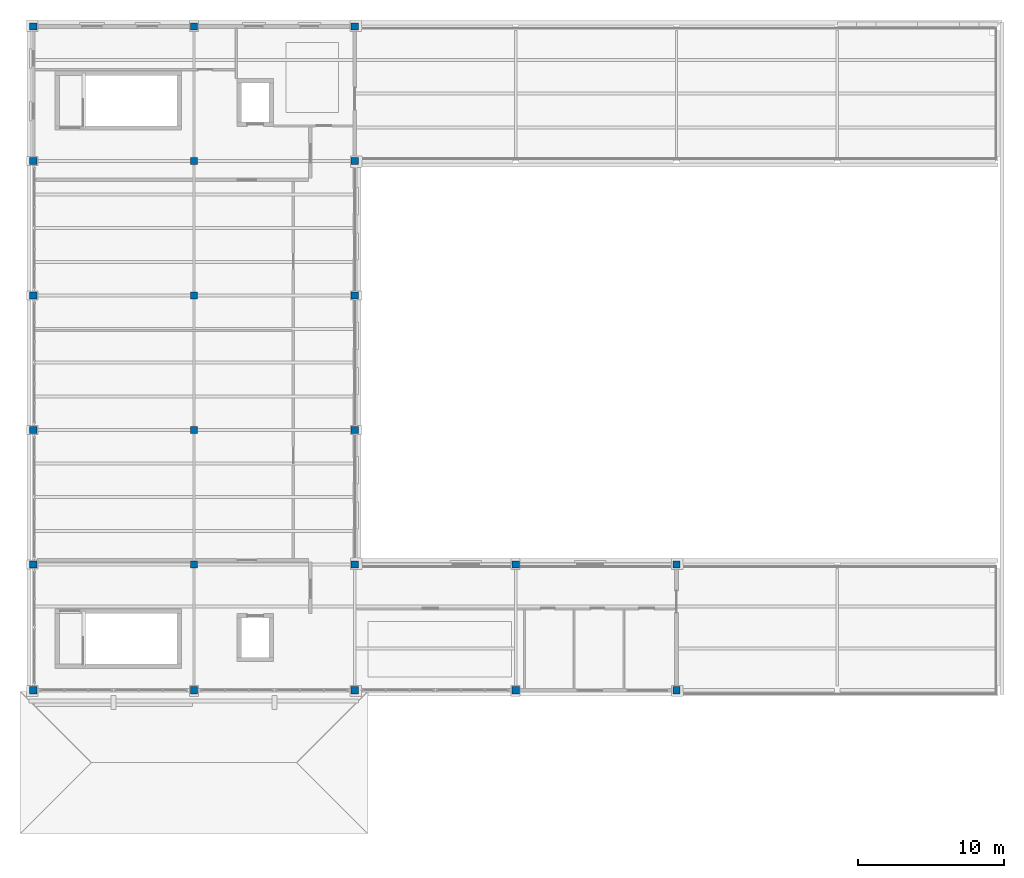
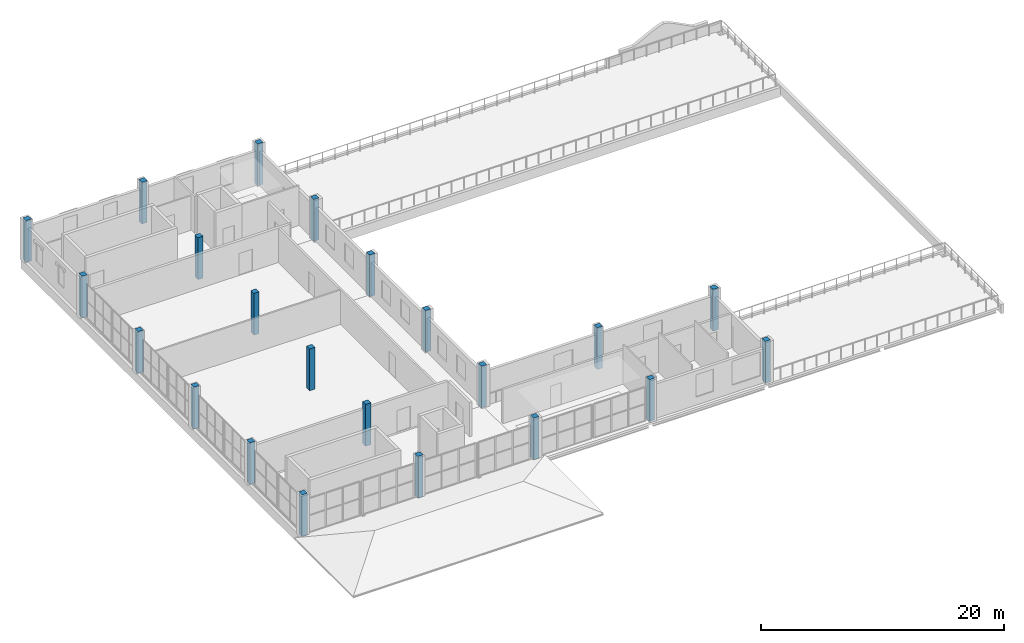
# One storey, part 1 of 26: 22 columns.
"""IFC4 building model written with IfcOpenShell, lengths in metres."""

from ifc_helpers import new_model, si_unit, direction, frame, origin, origin_2d, place, context, subcontext, project, spatial, rectangle, extrude, material, material_profile, profile_set, type_object, element, save


model = new_model("IFC4")

# Units and contexts
model_context = context("Model", 3, precision=1e-05, world=origin(), true_north=direction((0.0, 1.0)))
body_context = subcontext(model_context, "Body", "Model", "MODEL_VIEW")
ifc_project = project(units=[si_unit("LENGTHUNIT", "METRE"), si_unit("AREAUNIT", "SQUARE_METRE"), si_unit("VOLUMEUNIT", "CUBIC_METRE"), si_unit("PLANEANGLEUNIT", "RADIAN"), si_unit("MASSUNIT", "GRAM", prefix="KILO")], contexts=[model_context])

# Site, building, storey
site_placement = place(None, origin())
site = spatial("IfcSite", under=ifc_project, at=site_placement, CompositionType="ELEMENT")
building_placement = place(site_placement, origin())
building = spatial("IfcBuilding", under=site, at=building_placement, Name="Caurita Quay Ferry Terminal", CompositionType="ELEMENT")
storey_placement = place(building_placement, frame((0.0, 0.0, 18.300048828125)))
storey = spatial("IfcBuildingStorey", under=building, at=storey_placement, Name="L04", CompositionType="ELEMENT", Elevation=18.300048828125)

# Columns
ifc_material = material(Name="Reinforced concrete C35/45", Category="concrete")
ifc_material_profile = material_profile(ifc_material, rectangle(XDim=0.5, YDim=0.5, at=origin_2d()), Name="RC-COL-500X500")
ifc_profile_set = profile_set([ifc_material_profile], Name="Reinforced concrete C35/45")
column_type = type_object("IfcColumnType", Name="COL-RC-500", PredefinedType="COLUMN", material=ifc_profile_set)
for number, where, z_axis, x_axis, name in (
    (1, (0.0, 71.60009765625, 0.0), (0.0, 0.0, 1.0), (1.0, 0.0, 0.0), "L04 Column V5-01-L"),
    (2, (0.0, 80.199951171875, 0.0), (0.0, 0.0, 1.0), (1.0, 0.0, 0.0), "L04 Column V5-01-M"),
    (3, (0.0, 89.39990234375, 0.0), (0.0, 0.0, 1.0), (1.0, 0.0, 0.0), "L04 Column V5-01-N"),
    (4, (0.0, 98.60009765625, 0.0), (0.0, 0.0, 1.0), (1.0, 0.0, 0.0), "L04 Column V5-01-P"),
    (5, (0.0, 107.800048828125, 0.0), (0.0, 0.0, 1.0), (1.0, 0.0, 0.0), "L04 Column V5-01-Q"),
    (6, (0.0, 117.0, 0.0), (0.0, 0.0, 1.0), (1.0, 0.0, 0.0), "L04 Column V5-01-R"),
    (7, (11.0, 71.60009765625, 0.0), (0.0, 0.0, 1.0), (1.0, 0.0, 0.0), "L04 Column V5-02-L"),
    (8, (11.0, 80.199951171875, 0.0), (0.0, 0.0, 1.0), (1.0, 0.0, 0.0), "L04 Column V5-02-M"),
    (9, (11.0, 89.39990234375, 0.0), (0.0, 0.0, 1.0), (1.0, 0.0, 0.0), "L04 Column V5-02-N"),
    (10, (11.0, 98.60009765625, 0.0), (0.0, 0.0, 1.0), (1.0, 0.0, 0.0), "L04 Column V5-02-P"),
    (11, (11.0, 107.800048828125, 0.0), (0.0, 0.0, 1.0), (1.0, 0.0, 0.0), "L04 Column V5-02-Q"),
    (12, (11.0, 117.0, 0.0), (0.0, 0.0, 1.0), (1.0, 0.0, 0.0), "L04 Column V5-02-R"),
    (13, (22.0, 71.60009765625, 0.0), (0.0, 0.0, 1.0), (1.0, 0.0, 0.0), "L04 Column V5-03-L"),
    (14, (22.0, 80.199951171875, 0.0), (0.0, 0.0, 1.0), (1.0, 0.0, 0.0), "L04 Column V5-03-M"),
    (15, (22.0, 89.39990234375, 0.0), (0.0, 0.0, 1.0), (1.0, 0.0, 0.0), "L04 Column V5-03-N"),
    (16, (22.0, 98.60009765625, 0.0), (0.0, 0.0, 1.0), (1.0, 0.0, 0.0), "L04 Column V5-03-P"),
    (17, (22.0, 107.800048828125, 0.0), (0.0, 0.0, 1.0), (1.0, 0.0, 0.0), "L04 Column V5-03-Q"),
    (18, (22.0, 117.0, 0.0), (0.0, 0.0, 1.0), (1.0, 0.0, 0.0), "L04 Column V5-03-R"),
    (19, (33.0, 71.60009765625, 0.0), (0.0, 0.0, 1.0), (1.0, 0.0, 0.0), "L04 Column V5-04-L"),
    (20, (33.0, 80.199951171875, 0.0), (0.0, 0.0, 1.0), (1.0, 0.0, 0.0), "L04 Column V5-04-M"),
    (21, (44.0, 71.60009765625, 0.0), (0.0, 0.0, 1.0), (1.0, 0.0, 0.0), "L04 Column V5-05-L"),
    (22, (44.0, 80.199951171875, 0.0), (0.0, 0.0, 1.0), (1.0, 0.0, 0.0), "L04 Column V5-05-M"),
):
    element("IfcColumn", number, at=place(storey_placement, frame(where, z_axis=z_axis, x_axis=x_axis)), inside=storey, type_object=column_type, Name=name, PredefinedType="COLUMN", context=body_context, shape_type="SweptSolid", body=[
        extrude(rectangle(XDim=0.5, YDim=0.5, at=origin_2d()), origin(), (0.0, 0.0, 1.0), 4.199951171875),
    ])

save(model, "model.ifc")
